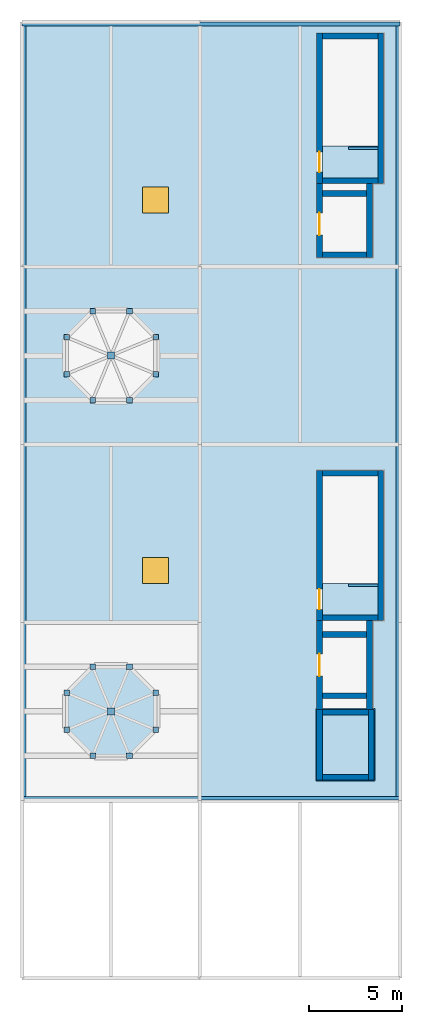
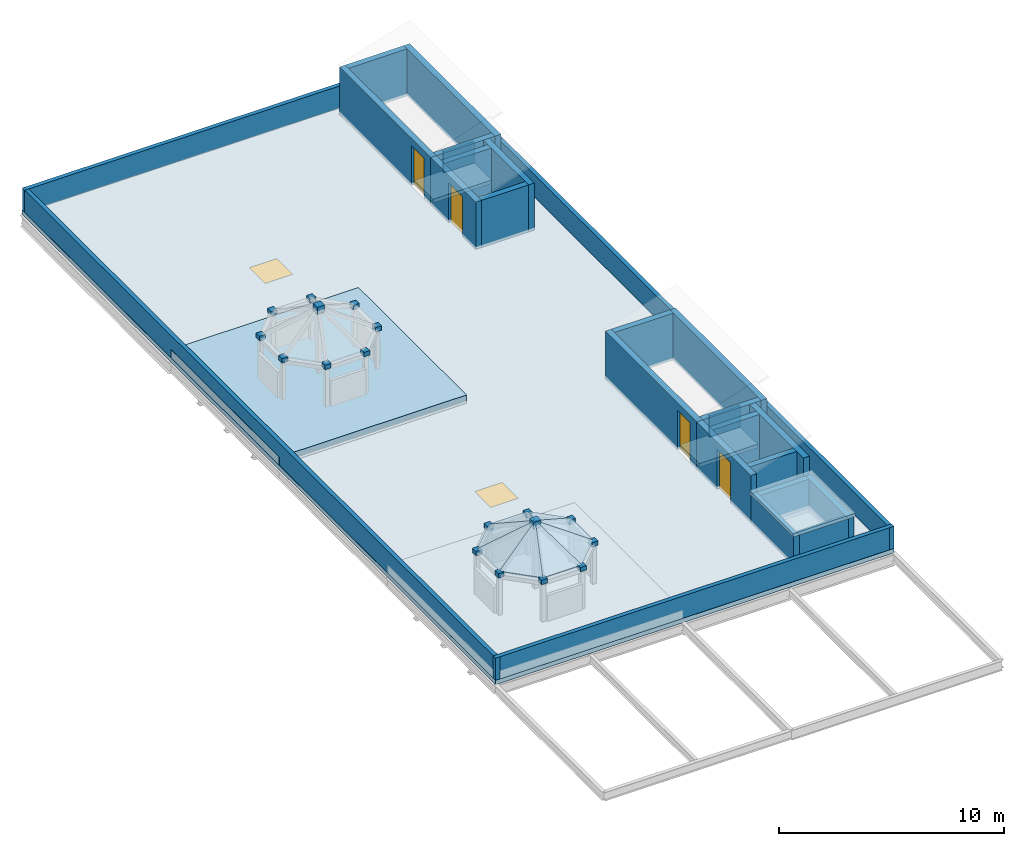
# One storey, part 3 of 5: 26 walls, 18 plates, 8 roofs, 5 slabs, 4 doors, 2 windows, 6 openings.
"""IFC4 building model written with IfcOpenShell, lengths in metres."""

from ifc_helpers import new_model, si_unit, direction, frame, frame_2d, origin, origin_2d, place, context, subcontext, project, spatial, polyline, rectangle, outline, extrude, material, layer, layer_set, type_object, element, fill, save


model = new_model("IFC4")

# Units and contexts
model_context = context("Model", 3, precision=1e-05, world=origin(), true_north=direction((0.0, 1.0)))
body_context = subcontext(model_context, "Body", "Model", "MODEL_VIEW")
ifc_project = project(units=[si_unit("LENGTHUNIT", "METRE"), si_unit("AREAUNIT", "SQUARE_METRE"), si_unit("VOLUMEUNIT", "CUBIC_METRE"), si_unit("PLANEANGLEUNIT", "RADIAN"), si_unit("MASSUNIT", "GRAM", prefix="KILO")], contexts=[model_context])

# Site, building, storey
site_placement = place(None, origin())
site = spatial("IfcSite", under=ifc_project, at=site_placement, CompositionType="ELEMENT")
building_placement = place(site_placement, origin())
building = spatial("IfcBuilding", under=site, at=building_placement, Name="Almandine Court Research Institute", CompositionType="ELEMENT")
storey_placement = place(building_placement, frame((0.0, 0.0, 46.199951171875)))
storey = spatial("IfcBuildingStorey", under=building, at=storey_placement, Name="RF", CompositionType="ELEMENT", Elevation=46.199951171875)

# Plates
ifc_material_1 = material(Name="Steel ASTM A36", Category="steel")
ifc_layer_1 = layer(ifc_material_1, 0.3798828125)
ifc_layer_set_1 = layer_set([ifc_layer_1], Name="Steel ASTM A36")
plate_type_1 = type_object("IfcPlateType", Name="Plate-NP-02", PredefinedType="SHEET", material=ifc_layer_set_1)
for number, where, z_axis, x_axis, name in (
    (1, (158.39990234375, 20.39990234375, 3.760009765625), (0.0, 0.0, 1.0), (1.0, 0.0, 0.0), "RF Chhatri Lantern 1 Apex Star Node"),
    (2, (158.39990234375, 39.60009765625, 3.760009765625), (0.0, 0.0, 1.0), (1.0, 0.0, 0.0), "RF Chhatri Lantern 2 Apex Star Node"),
):
    element("IfcPlate", number, at=place(storey_placement, frame(where, z_axis=z_axis, x_axis=x_axis)), inside=storey, type_object=plate_type_1, Name=name, PredefinedType="SHEET", context=body_context, shape_type="SweptSolid", body=[
        extrude(rectangle(XDim=0.3798828125, YDim=0.3798828125, at=origin_2d()), origin(), (0.0, 0.0, 1.0), 0.3798828125),
    ])
ifc_layer_2 = layer(ifc_material_1, 0.239990234375)
ifc_layer_set_2 = layer_set([ifc_layer_2], Name="Steel ASTM A36")
plate_type_2 = type_object("IfcPlateType", Name="Plate-NP-05", PredefinedType="SHEET", material=ifc_layer_set_2)
for number, where, z_axis, x_axis, name in (
    (3, (160.802001953125, 21.39501953125, 2.5302734375), (0.0, 0.0, 1.0), (1.0, 0.0, 0.0), "RF Chhatri Lantern 1 Eave Cap Plate 1"),
    (4, (159.39501953125, 22.802001953125, 2.5302734375), (0.0, 0.0, 1.0), (1.0, 0.0, 0.0), "RF Chhatri Lantern 1 Eave Cap Plate 2"),
    (5, (157.405029296875, 22.802001953125, 2.5302734375), (0.0, 0.0, 1.0), (1.0, 0.0, 0.0), "RF Chhatri Lantern 1 Eave Cap Plate 3"),
    (6, (155.998046875, 21.39501953125, 2.5302734375), (0.0, 0.0, 1.0), (1.0, 0.0, 0.0), "RF Chhatri Lantern 1 Eave Cap Plate 4"),
    (7, (155.998046875, 19.405029296875, 2.5302734375), (0.0, 0.0, 1.0), (1.0, 0.0, 0.0), "RF Chhatri Lantern 1 Eave Cap Plate 5"),
    (8, (157.405029296875, 17.998046875, 2.5302734375), (0.0, 0.0, 1.0), (1.0, 0.0, 0.0), "RF Chhatri Lantern 1 Eave Cap Plate 6"),
    (9, (159.39501953125, 17.998046875, 2.5302734375), (0.0, 0.0, 1.0), (1.0, 0.0, 0.0), "RF Chhatri Lantern 1 Eave Cap Plate 7"),
    (10, (160.802001953125, 19.405029296875, 2.5302734375), (0.0, 0.0, 1.0), (1.0, 0.0, 0.0), "RF Chhatri Lantern 1 Eave Cap Plate 8"),
    (11, (160.802001953125, 40.594970703125, 2.5302734375), (0.0, 0.0, 1.0), (1.0, 0.0, 0.0), "RF Chhatri Lantern 2 Eave Cap Plate 1"),
    (12, (159.39501953125, 42.001953125, 2.5302734375), (0.0, 0.0, 1.0), (1.0, 0.0, 0.0), "RF Chhatri Lantern 2 Eave Cap Plate 2"),
    (13, (157.405029296875, 42.001953125, 2.5302734375), (0.0, 0.0, 1.0), (1.0, 0.0, 0.0), "RF Chhatri Lantern 2 Eave Cap Plate 3"),
    (14, (155.998046875, 40.594970703125, 2.5302734375), (0.0, 0.0, 1.0), (1.0, 0.0, 0.0), "RF Chhatri Lantern 2 Eave Cap Plate 4"),
    (15, (155.998046875, 38.60498046875, 2.5302734375), (0.0, 0.0, 1.0), (1.0, 0.0, 0.0), "RF Chhatri Lantern 2 Eave Cap Plate 5"),
    (16, (157.405029296875, 37.197998046875, 2.5302734375), (0.0, 0.0, 1.0), (1.0, 0.0, 0.0), "RF Chhatri Lantern 2 Eave Cap Plate 6"),
    (17, (159.39501953125, 37.197998046875, 2.5302734375), (0.0, 0.0, 1.0), (1.0, 0.0, 0.0), "RF Chhatri Lantern 2 Eave Cap Plate 7"),
    (18, (160.802001953125, 38.60498046875, 2.5302734375), (0.0, 0.0, 1.0), (1.0, 0.0, 0.0), "RF Chhatri Lantern 2 Eave Cap Plate 8"),
):
    element("IfcPlate", number, at=place(storey_placement, frame(where, z_axis=z_axis, x_axis=x_axis)), inside=storey, type_object=plate_type_2, Name=name, PredefinedType="SHEET", context=body_context, shape_type="SweptSolid", body=[
        extrude(rectangle(XDim=0.300048828125, YDim=0.300048828125, at=origin_2d()), origin(), (0.0, 0.0, 1.0), 0.239990234375),
    ])

# Slabs
ifc_material_2 = material(Name="Concrete C35/45", Category="concrete")
ifc_layer_3 = layer(ifc_material_2, 0.199951171875)
ifc_layer_set_3 = layer_set([ifc_layer_3], Name="Concrete C35/45")
slab_type_1 = type_object("IfcSlabType", Name="Slab-PHF-200", PredefinedType="FLOOR", material=ifc_layer_set_3)
slab_1_placement = place(storey_placement, frame((0.0, 0.0, -0.199951171875)))
element("IfcSlab", 19, at=slab_1_placement, inside=storey, type_object=slab_type_1, Name="RF ST-07 Exterior Penthouse Terrace Slab", PredefinedType="FLOOR", context=body_context, shape_type="SweptSolid", body=[
    extrude(outline(polyline([(172.800048828125, 25.60009765625), (172.800048828125, 27.31005859375), (169.800048828125, 27.31005859375), (169.800048828125, 25.60009765625), (172.800048828125, 25.60009765625)])), origin(), (0.0, 0.0, 1.0), 0.199951171875),
])
slab_2_placement = place(storey_placement, frame((0.0, 0.0, -0.199951171875)))
element("IfcSlab", 20, at=slab_2_placement, inside=storey, type_object=slab_type_1, Name="RF ST-08 Exterior Penthouse Terrace Slab", PredefinedType="FLOOR", context=body_context, shape_type="SweptSolid", body=[
    extrude(outline(polyline([(172.800048828125, 49.199951171875), (172.800048828125, 50.909912109375), (169.800048828125, 50.909912109375), (169.800048828125, 49.199951171875), (172.800048828125, 49.199951171875)])), origin(), (0.0, 0.0, 1.0), 0.199951171875),
])
ifc_layer_4 = layer(ifc_material_2, 0.199951171875)
ifc_layer_set_4 = layer_set([ifc_layer_4], Name="Concrete C35/45")
slab_type_2 = type_object("IfcSlabType", Name="Slab-RF-200", PredefinedType="ROOF", material=ifc_layer_set_4)
slab_3_placement = place(storey_placement, frame((0.0, 0.0, 1.550048828125)))
element("IfcSlab", 21, at=slab_3_placement, inside=storey, type_object=slab_type_2, Name="RF GL-01 Lift Overrun Cap Slab", PredefinedType="ROOF", context=body_context, shape_type="SweptSolid", body=[
    extrude(outline(polyline([(169.449951171875, 16.64990234375), (172.64990234375, 16.64990234375), (172.64990234375, 20.550048828125), (169.449951171875, 20.550048828125), (169.449951171875, 16.64990234375)])), origin(), (0.0, 0.0, 1.0), 0.199951171875),
])

# Slab, openings, windows
ifc_layer_5 = layer(ifc_material_2, 0.239990234375)
ifc_layer_set_5 = layer_set([ifc_layer_5], Name="Concrete C35/45")
slab_type_3 = type_object("IfcSlabType", Name="Slab-RF-240", PredefinedType="ROOF", material=ifc_layer_set_5)
slab_4_placement = place(storey_placement, frame((0.0, 0.0, -0.239990234375)))
slab_4 = element("IfcSlab", 22, at=slab_4_placement, inside=storey, type_object=slab_type_3, Name="RF Volume 4 Main Wet Laboratory Roof Slab", PredefinedType="ROOF", context=body_context, shape_type="SweptSolid", body=[
    extrude(outline(polyline([(153.60009765625, 15.60009765625), (174.0, 15.60009765625), (174.0, 57.60009765625), (153.60009765625, 57.60009765625), (153.60009765625, 15.60009765625)]), holes=[polyline([(169.47998046875, 25.280029296875), (173.1201171875, 25.280029296875), (173.1201171875, 33.419921875), (169.47998046875, 33.419921875), (169.47998046875, 25.280029296875)]), polyline([(169.47998046875, 48.8798828125), (173.1201171875, 48.8798828125), (173.1201171875, 57.02001953125), (169.47998046875, 57.02001953125), (169.47998046875, 48.8798828125)]), polyline([(169.800048828125, 21.39990234375), (172.199951171875, 21.39990234375), (172.199951171875, 24.39990234375), (169.800048828125, 24.39990234375), (169.800048828125, 21.39990234375)]), polyline([(169.800048828125, 45.199951171875), (172.199951171875, 45.199951171875), (172.199951171875, 48.199951171875), (169.800048828125, 48.199951171875), (169.800048828125, 45.199951171875)]), polyline([(169.800048828125, 17.0), (172.300048828125, 17.0), (172.300048828125, 20.199951171875), (169.800048828125, 20.199951171875), (169.800048828125, 17.0)]), polyline([(160.10009765625, 27.300048828125), (161.5, 27.300048828125), (161.5, 28.699951171875), (160.10009765625, 28.699951171875), (160.10009765625, 27.300048828125)]), polyline([(160.10009765625, 47.300048828125), (161.5, 47.300048828125), (161.5, 48.699951171875), (160.10009765625, 48.699951171875), (160.10009765625, 47.300048828125)])]), origin(), (0.0, 0.0, 1.0), 0.239990234375),
])
opening_1_placement = place(slab_4_placement, frame((160.800048828125, 28.0, 0.0)))
opening_1 = element("IfcOpeningElement", 23, at=opening_1_placement, cuts=slab_4, Name="Opening SK-02", PredefinedType="OPENING", context=body_context, shape_type="SweptSolid", body=[
    extrude(rectangle(XDim=1.39990234375, YDim=1.39990234375, at=origin_2d()), origin(), (0.0, 0.0, 1.0), 0.239990234375),
])
opening_2_placement = place(slab_4_placement, frame((160.800048828125, 48.0, 0.0)))
opening_2 = element("IfcOpeningElement", 24, at=opening_2_placement, cuts=slab_4, Name="Opening SK-02", PredefinedType="OPENING", context=body_context, shape_type="SweptSolid", body=[
    extrude(rectangle(XDim=1.39990234375, YDim=1.39990234375, at=origin_2d()), origin(), (0.0, 0.0, 1.0), 0.239990234375),
])
ifc_material_3 = material(Name="Insulated Kerb Roof Access Skylight Hatch", Category="glass")
window_type = type_object("IfcWindowType", Name="Win-SKY-1400", PartitioningType="SINGLE_PANEL", PredefinedType="SKYLIGHT", material=ifc_material_3)
window_1_placement = place(opening_1_placement, frame((0.0, 0.0, 0.18994140625)))
window_1 = element("IfcWindow", 25, at=window_1_placement, inside=storey, type_object=window_type, Name="RF Wet Laboratory Roof Access Skylight Hatch 1", OverallHeight=1.39990234375, OverallWidth=1.39990234375, PartitioningType="SINGLE_PANEL", PredefinedType="SKYLIGHT", context=body_context, shape_type="SweptSolid", body=[
    extrude(rectangle(XDim=1.39990234375, YDim=1.39990234375, at=origin_2d()), origin(), (0.0, 0.0, 1.0), 0.050048828125),
])
fill(opening_1, window_1)
window_2_placement = place(opening_2_placement, frame((0.0, 0.0, 0.18994140625)))
window_2 = element("IfcWindow", 26, at=window_2_placement, inside=storey, type_object=window_type, Name="RF Wet Laboratory Roof Access Skylight Hatch 2", OverallHeight=1.39990234375, OverallWidth=1.39990234375, PartitioningType="SINGLE_PANEL", PredefinedType="SKYLIGHT", context=body_context, shape_type="SweptSolid", body=[
    extrude(rectangle(XDim=1.39990234375, YDim=1.39990234375, at=origin_2d()), origin(), (0.0, 0.0, 1.0), 0.050048828125),
])
fill(opening_2, window_2)

# Slab
ifc_material_4 = material(Name="Concrete C40/50", Category="concrete")
ifc_layer_6 = layer(ifc_material_4, 0.449951171875)
ifc_layer_set_6 = layer_set([ifc_layer_6], Name="Concrete C40/50")
slab_type_4 = type_object("IfcSlabType", Name="Slab-TRN-450", PredefinedType="ROOF", material=ifc_layer_set_6)
slab_5_placement = place(storey_placement, origin())
element("IfcSlab", 27, at=slab_5_placement, inside=storey, type_object=slab_type_4, Name="RF Chhatri Lantern 2 Structural Plinth Slab", PredefinedType="ROOF", context=body_context, shape_type="SweptSolid", body=[
    extrude(outline(polyline([(153.60009765625, 34.800048828125), (163.199951171875, 34.800048828125), (163.199951171875, 44.39990234375), (153.60009765625, 44.39990234375), (153.60009765625, 34.800048828125)])), origin(), (0.0, 0.0, 1.0), 0.449951171875),
])

# Walls
ifc_material_5 = material(Name="Precast Concrete C40/50", Category="concrete")
ifc_layer_7 = layer(ifc_material_5, 0.2099609375)
ifc_layer_set_7 = layer_set([ifc_layer_7], Name="Precast Concrete C40/50")
wall_type_1 = type_object("IfcWallType", Name="Wall-PAR-210", PredefinedType="PARAPET", material=ifc_layer_set_7)
wall_1_placement = place(storey_placement, frame((153.60009765625, 15.7099609375, 0.0), z_axis=(0.0, 0.0, 1.0), x_axis=(1.0, 0.0, 0.0)))
element("IfcWall", 28, at=wall_1_placement, inside=storey, type_object=wall_type_1, Name="RF Roof Perimeter Parapet 009", PredefinedType="PARAPET", context=body_context, shape_type="SweptSolid", body=[
    extrude(rectangle(XDim=20.39990234375, YDim=0.2099609375, at=frame_2d((10.199951171875, 0.0))), origin(), (0.0, 0.0, 1.0), 1.199951171875),
])
wall_2_placement = place(storey_placement, frame((173.889892578125, 15.60009765625, 0.0), z_axis=(0.0, 0.0, 1.0), x_axis=(0.0, 1.0, 0.0)))
element("IfcWall", 29, at=wall_2_placement, inside=storey, type_object=wall_type_1, Name="RF Roof Perimeter Parapet 010", PredefinedType="PARAPET", context=body_context, shape_type="SweptSolid", body=[
    extrude(rectangle(XDim=42.0, YDim=0.2099609375, at=frame_2d((21.0, 0.0))), origin(), (0.0, 0.0, 1.0), 1.199951171875),
])
wall_3_placement = place(storey_placement, frame((174.0, 57.489990234375, 0.0), z_axis=(0.0, 0.0, 1.0), x_axis=(-1.0, 0.0, 0.0)))
element("IfcWall", 30, at=wall_3_placement, inside=storey, type_object=wall_type_1, Name="RF Roof Perimeter Parapet 011", PredefinedType="PARAPET", context=body_context, shape_type="SweptSolid", body=[
    extrude(rectangle(XDim=20.39990234375, YDim=0.2099609375, at=frame_2d((10.199951171875, 0.0))), origin(), (0.0, 0.0, 1.0), 1.199951171875),
])
wall_4_placement = place(storey_placement, frame((153.7099609375, 57.60009765625, 0.0), z_axis=(0.0, 0.0, 1.0), x_axis=(0.0, -1.0, 0.0)))
element("IfcWall", 31, at=wall_4_placement, inside=storey, type_object=wall_type_1, Name="RF Roof Perimeter Parapet 012", PredefinedType="PARAPET", context=body_context, shape_type="SweptSolid", body=[
    extrude(rectangle(XDim=42.0, YDim=0.2099609375, at=frame_2d((21.0, 0.0))), origin(), (0.0, 0.0, 1.0), 1.199951171875),
])
ifc_material_6 = material(Name="Lightweight Drywall Office Partition")
ifc_layer_8 = layer(ifc_material_6, 0.125)
ifc_layer_set_8 = layer_set([ifc_layer_8], Name="Lightweight Drywall Office Partition")
wall_type_2 = type_object("IfcWallType", Name="Wall-PART-125", PredefinedType="PARTITIONING", material=ifc_layer_set_8)
for number, where, z_axis, x_axis, name in (
    (32, (172.800048828125, 27.199951171875, 0.0), (0.0, 0.0, 1.0), (-1.0, 0.0, 0.0), "RF ST-07 Penthouse Well Curb Wall 1"),
    (33, (172.800048828125, 50.800048828125, 0.0), (0.0, 0.0, 1.0), (-1.0, 0.0, 0.0), "RF ST-08 Penthouse Well Curb Wall 1"),
):
    element("IfcWall", number, at=place(storey_placement, frame(where, z_axis=z_axis, x_axis=x_axis)), inside=storey, type_object=wall_type_2, Name=name, PredefinedType="PARTITIONING", context=body_context, shape_type="SweptSolid", body=[
        extrude(rectangle(XDim=1.580078125, YDim=0.125, at=frame_2d((0.7900390625, 0.0))), origin(), (0.0, 0.0, 1.0), 1.150146484375),
    ])

# Wall, opening, door
ifc_layer_9 = layer(ifc_material_4, 0.300048828125)
ifc_layer_set_9 = layer_set([ifc_layer_9], Name="Concrete C40/50")
wall_type_3 = type_object("IfcWallType", Name="Wall-SW-CORE-300-E", PredefinedType="SHEAR", material=ifc_layer_set_9)
wall_5_placement = place(storey_placement, frame((169.64990234375, 25.300048828125, 0.0), z_axis=(0.0, 0.0, 1.0), x_axis=(0.0, 1.0, 0.0)))
wall_5 = element("IfcWall", 34, at=wall_5_placement, inside=storey, type_object=wall_type_3, Name="RF ST-07 Penthouse W Shear Wall", PredefinedType="SHEAR", context=body_context, shape_type="SweptSolid", body=[
    extrude(rectangle(XDim=8.099853515625, YDim=0.300048828125, at=frame_2d((4.0498046875, 0.0))), origin(), (0.0, 0.0, 1.0), 2.550048828125),
])
opening_3_placement = place(wall_5_placement, frame((0.60009765625, 0.0, 0.0)))
opening_3 = element("IfcOpeningElement", 35, at=opening_3_placement, cuts=wall_5, Name="Opening EX-04", PredefinedType="OPENING", context=body_context, shape_type="SweptSolid", body=[
    extrude(rectangle(XDim=1.10009765625, YDim=2.14990234375, at=frame_2d((0.550048828125, 1.074951171875))), frame((0.0, 0.159912109375, 0.0), z_axis=(0.0, -1.0, 0.0), x_axis=(1.0, 0.0, 0.0)), (0.0, 0.0, 1.0), 0.320068359375),
])
ifc_material_7 = material(Name="Painted Steel Exterior Personnel Exit Door", Category="steel")
door_type_1 = type_object("IfcDoorType", Name="Door-EX-1100", OperationType="NOTDEFINED", PredefinedType="DOOR", material=ifc_material_7)
door_1_placement = place(opening_3_placement, origin())
door_1 = element("IfcDoor", 36, at=door_1_placement, inside=storey, type_object=door_type_1, Name="RF Exit Stair ST-07 Fire Door", OperationType="SINGLE_SWING_LEFT", OverallHeight=2.14990234375, OverallWidth=1.10009765625, PredefinedType="DOOR", context=body_context, shape_type="SweptSolid", body=[
    extrude(rectangle(XDim=1.10009765625, YDim=2.14990234375, at=frame_2d((0.550048828125, 1.074951171875))), frame((0.0, 0.02490234375, 0.0), z_axis=(0.0, -1.0, 0.0), x_axis=(1.0, 0.0, 0.0)), (0.0, 0.0, 1.0), 0.050048828125),
])
fill(opening_3, door_1)

# Walls
wall_6_placement = place(storey_placement, frame((169.800048828125, 33.25, 0.0), z_axis=(0.0, 0.0, 1.0), x_axis=(1.0, 0.0, 0.0)))
element("IfcWall", 37, at=wall_6_placement, inside=storey, type_object=wall_type_3, Name="RF ST-07 Penthouse N Shear Wall", PredefinedType="SHEAR", context=body_context, shape_type="SweptSolid", body=[
    extrude(rectangle(XDim=3.0, YDim=0.300048828125, at=frame_2d((1.5, 0.0))), origin(), (0.0, 0.0, 1.0), 2.550048828125),
])
wall_7_placement = place(storey_placement, frame((172.949951171875, 33.39990234375, 0.0), z_axis=(0.0, 0.0, 1.0), x_axis=(0.0, -1.0, 0.0)))
element("IfcWall", 38, at=wall_7_placement, inside=storey, type_object=wall_type_3, Name="RF ST-07 Penthouse E Shear Wall", PredefinedType="SHEAR", context=body_context, shape_type="SweptSolid", body=[
    extrude(rectangle(XDim=8.099853515625, YDim=0.300048828125, at=frame_2d((4.0498046875, 0.0))), origin(), (0.0, 0.0, 1.0), 2.550048828125),
])
wall_8_placement = place(storey_placement, frame((172.800048828125, 25.449951171875, 0.0), z_axis=(0.0, 0.0, 1.0), x_axis=(-1.0, 0.0, 0.0)))
element("IfcWall", 39, at=wall_8_placement, inside=storey, type_object=wall_type_3, Name="RF ST-07 Penthouse S Shear Wall", PredefinedType="SHEAR", context=body_context, shape_type="SweptSolid", body=[
    extrude(rectangle(XDim=3.0, YDim=0.300048828125, at=frame_2d((1.5, 0.0))), origin(), (0.0, 0.0, 1.0), 2.550048828125),
])

# Wall, opening, door
wall_9_placement = place(storey_placement, frame((169.64990234375, 48.89990234375, 0.0), z_axis=(0.0, 0.0, 1.0), x_axis=(0.0, 1.0, 0.0)))
wall_9 = element("IfcWall", 40, at=wall_9_placement, inside=storey, type_object=wall_type_3, Name="RF ST-08 Penthouse W Shear Wall", PredefinedType="SHEAR", context=body_context, shape_type="SweptSolid", body=[
    extrude(rectangle(XDim=8.10009765625, YDim=0.300048828125, at=frame_2d((4.050048828125, 0.0))), origin(), (0.0, 0.0, 1.0), 2.550048828125),
])
opening_4_placement = place(wall_9_placement, frame((0.60009765625, 0.0, 0.0)))
opening_4 = element("IfcOpeningElement", 41, at=opening_4_placement, cuts=wall_9, Name="Opening EX-04", PredefinedType="OPENING", context=body_context, shape_type="SweptSolid", body=[
    extrude(rectangle(XDim=1.10009765625, YDim=2.14990234375, at=frame_2d((0.550048828125, 1.074951171875))), frame((0.0, 0.159912109375, 0.0), z_axis=(0.0, -1.0, 0.0), x_axis=(1.0, 0.0, 0.0)), (0.0, 0.0, 1.0), 0.320068359375),
])
door_2_placement = place(opening_4_placement, origin())
door_2 = element("IfcDoor", 42, at=door_2_placement, inside=storey, type_object=door_type_1, Name="RF Exit Stair ST-08 Fire Door", OperationType="SINGLE_SWING_LEFT", OverallHeight=2.14990234375, OverallWidth=1.10009765625, PredefinedType="DOOR", context=body_context, shape_type="SweptSolid", body=[
    extrude(rectangle(XDim=1.10009765625, YDim=2.14990234375, at=frame_2d((0.550048828125, 1.074951171875))), frame((0.0, 0.02490234375, 0.0), z_axis=(0.0, -1.0, 0.0), x_axis=(1.0, 0.0, 0.0)), (0.0, 0.0, 1.0), 0.050048828125),
])
fill(opening_4, door_2)

# Walls
wall_10_placement = place(storey_placement, frame((169.800048828125, 56.85009765625, 0.0), z_axis=(0.0, 0.0, 1.0), x_axis=(1.0, 0.0, 0.0)))
element("IfcWall", 43, at=wall_10_placement, inside=storey, type_object=wall_type_3, Name="RF ST-08 Penthouse N Shear Wall", PredefinedType="SHEAR", context=body_context, shape_type="SweptSolid", body=[
    extrude(rectangle(XDim=3.0, YDim=0.300048828125, at=frame_2d((1.5, 0.0))), origin(), (0.0, 0.0, 1.0), 2.550048828125),
])
wall_11_placement = place(storey_placement, frame((172.949951171875, 57.0, 0.0), z_axis=(0.0, 0.0, 1.0), x_axis=(0.0, -1.0, 0.0)))
element("IfcWall", 44, at=wall_11_placement, inside=storey, type_object=wall_type_3, Name="RF ST-08 Penthouse E Shear Wall", PredefinedType="SHEAR", context=body_context, shape_type="SweptSolid", body=[
    extrude(rectangle(XDim=8.10009765625, YDim=0.300048828125, at=frame_2d((4.050048828125, 0.0))), origin(), (0.0, 0.0, 1.0), 2.550048828125),
])
wall_12_placement = place(storey_placement, frame((172.800048828125, 49.050048828125, 0.0), z_axis=(0.0, 0.0, 1.0), x_axis=(-1.0, 0.0, 0.0)))
element("IfcWall", 45, at=wall_12_placement, inside=storey, type_object=wall_type_3, Name="RF ST-08 Penthouse S Shear Wall", PredefinedType="SHEAR", context=body_context, shape_type="SweptSolid", body=[
    extrude(rectangle(XDim=3.0, YDim=0.300048828125, at=frame_2d((1.5, 0.0))), origin(), (0.0, 0.0, 1.0), 2.550048828125),
])

# Wall, opening, door
wall_13_placement = place(storey_placement, frame((169.64990234375, 20.5, 0.0), z_axis=(0.0, 0.0, 1.0), x_axis=(0.0, 1.0, 0.0)))
wall_13 = element("IfcWall", 46, at=wall_13_placement, inside=storey, type_object=wall_type_3, Name="RF FL-01 Overrun W Shear Wall", PredefinedType="SHEAR", context=body_context, shape_type="SweptSolid", body=[
    extrude(rectangle(XDim=4.800048828125, YDim=0.300048828125, at=frame_2d((2.39990234375, 0.0))), origin(), (0.0, 0.0, 1.0), 2.550048828125),
])
opening_5_placement = place(wall_13_placement, frame((1.800048828125, 0.0, 0.0)))
opening_5 = element("IfcOpeningElement", 47, at=opening_5_placement, cuts=wall_13, Name="Opening LD-02E", PredefinedType="OPENING", context=body_context, shape_type="SweptSolid", body=[
    extrude(rectangle(XDim=1.199951171875, YDim=2.14990234375, at=frame_2d((0.60009765625, 1.074951171875))), frame((0.0, 0.159912109375, 0.0), z_axis=(0.0, -1.0, 0.0), x_axis=(1.0, 0.0, 0.0)), (0.0, 0.0, 1.0), 0.320068359375),
])
ifc_material_8 = material(Name="Firefighting Lift Landing Sliding Door")
door_type_2 = type_object("IfcDoorType", Name="Door-LD-FSAE-1200-EXT", OperationType="SLIDING_TO_LEFT", PredefinedType="USERDEFINED", material=ifc_material_8)
door_3_placement = place(opening_5_placement, origin())
door_3 = element("IfcDoor", 48, at=door_3_placement, inside=storey, type_object=door_type_2, Name="RF Firefighting Lift FL-01 Sliding Landing Door", ObjectType="LANDING DOOR", OperationType="SLIDING_TO_LEFT", OverallHeight=2.14990234375, OverallWidth=1.199951171875, PredefinedType="USERDEFINED", context=body_context, shape_type="SweptSolid", body=[
    extrude(rectangle(XDim=1.199951171875, YDim=2.14990234375, at=frame_2d((0.60009765625, 1.074951171875))), frame((0.0, 0.02490234375, 0.0), z_axis=(0.0, -1.0, 0.0), x_axis=(1.0, 0.0, 0.0)), (0.0, 0.0, 1.0), 0.050048828125),
])
fill(opening_5, door_3)

# Walls
wall_14_placement = place(storey_placement, frame((169.800048828125, 24.550048828125, 0.0), z_axis=(0.0, 0.0, 1.0), x_axis=(1.0, 0.0, 0.0)))
element("IfcWall", 49, at=wall_14_placement, inside=storey, type_object=wall_type_3, Name="RF FL-01 Overrun N Shear Wall", PredefinedType="SHEAR", context=body_context, shape_type="SweptSolid", body=[
    extrude(rectangle(XDim=2.39990234375, YDim=0.300048828125, at=frame_2d((1.199951171875, 0.0))), origin(), (0.0, 0.0, 1.0), 2.550048828125),
])
wall_15_placement = place(storey_placement, frame((172.35009765625, 25.300048828125, 0.0), z_axis=(0.0, 0.0, 1.0), x_axis=(0.0, -1.0, 0.0)))
element("IfcWall", 50, at=wall_15_placement, inside=storey, type_object=wall_type_3, Name="RF FL-01 Overrun E Shear Wall", PredefinedType="SHEAR", context=body_context, shape_type="SweptSolid", body=[
    extrude(rectangle(XDim=4.800048828125, YDim=0.300048828125, at=frame_2d((2.39990234375, 0.0))), origin(), (0.0, 0.0, 1.0), 2.550048828125),
])
wall_16_placement = place(storey_placement, frame((172.199951171875, 21.25, 0.0), z_axis=(0.0, 0.0, 1.0), x_axis=(-1.0, 0.0, 0.0)))
element("IfcWall", 51, at=wall_16_placement, inside=storey, type_object=wall_type_3, Name="RF FL-01 Overrun S Shear Wall", PredefinedType="SHEAR", context=body_context, shape_type="SweptSolid", body=[
    extrude(rectangle(XDim=2.39990234375, YDim=0.300048828125, at=frame_2d((1.199951171875, 0.0))), origin(), (0.0, 0.0, 1.0), 2.550048828125),
])

# Wall, opening, door
wall_17_placement = place(storey_placement, frame((169.64990234375, 44.89990234375, 0.0), z_axis=(0.0, 0.0, 1.0), x_axis=(0.0, 1.0, 0.0)))
wall_17 = element("IfcWall", 52, at=wall_17_placement, inside=storey, type_object=wall_type_3, Name="RF FL-02 Overrun W Shear Wall", PredefinedType="SHEAR", context=body_context, shape_type="SweptSolid", body=[
    extrude(rectangle(XDim=4.0, YDim=0.300048828125, at=frame_2d((2.0, 0.0))), origin(), (0.0, 0.0, 1.0), 2.550048828125),
])
opening_6_placement = place(wall_17_placement, frame((1.199951171875, 0.0, 0.0)))
opening_6 = element("IfcOpeningElement", 53, at=opening_6_placement, cuts=wall_17, Name="Opening LD-02E", PredefinedType="OPENING", context=body_context, shape_type="SweptSolid", body=[
    extrude(rectangle(XDim=1.199951171875, YDim=2.14990234375, at=frame_2d((0.60009765625, 1.074951171875))), frame((0.0, 0.159912109375, 0.0), z_axis=(0.0, -1.0, 0.0), x_axis=(1.0, 0.0, 0.0)), (0.0, 0.0, 1.0), 0.320068359375),
])
door_4_placement = place(opening_6_placement, origin())
door_4 = element("IfcDoor", 54, at=door_4_placement, inside=storey, type_object=door_type_2, Name="RF Firefighting Lift FL-02 Sliding Landing Door", ObjectType="LANDING DOOR", OperationType="SLIDING_TO_LEFT", OverallHeight=2.14990234375, OverallWidth=1.199951171875, PredefinedType="USERDEFINED", context=body_context, shape_type="SweptSolid", body=[
    extrude(rectangle(XDim=1.199951171875, YDim=2.14990234375, at=frame_2d((0.60009765625, 1.074951171875))), frame((0.0, 0.02490234375, 0.0), z_axis=(0.0, -1.0, 0.0), x_axis=(1.0, 0.0, 0.0)), (0.0, 0.0, 1.0), 0.050048828125),
])
fill(opening_6, door_4)

# Walls
wall_18_placement = place(storey_placement, frame((169.800048828125, 48.35009765625, 0.0), z_axis=(0.0, 0.0, 1.0), x_axis=(1.0, 0.0, 0.0)))
element("IfcWall", 55, at=wall_18_placement, inside=storey, type_object=wall_type_3, Name="RF FL-02 Overrun N Shear Wall", PredefinedType="SHEAR", context=body_context, shape_type="SweptSolid", body=[
    extrude(rectangle(XDim=2.39990234375, YDim=0.300048828125, at=frame_2d((1.199951171875, 0.0))), origin(), (0.0, 0.0, 1.0), 2.550048828125),
])
wall_19_placement = place(storey_placement, frame((172.35009765625, 48.89990234375, 0.0), z_axis=(0.0, 0.0, 1.0), x_axis=(0.0, -1.0, 0.0)))
element("IfcWall", 56, at=wall_19_placement, inside=storey, type_object=wall_type_3, Name="RF FL-02 Overrun E Shear Wall", PredefinedType="SHEAR", context=body_context, shape_type="SweptSolid", body=[
    extrude(rectangle(XDim=4.0, YDim=0.300048828125, at=frame_2d((2.0, 0.0))), origin(), (0.0, 0.0, 1.0), 2.550048828125),
])
wall_20_placement = place(storey_placement, frame((172.199951171875, 45.050048828125, 0.0), z_axis=(0.0, 0.0, 1.0), x_axis=(-1.0, 0.0, 0.0)))
element("IfcWall", 57, at=wall_20_placement, inside=storey, type_object=wall_type_3, Name="RF FL-02 Overrun S Shear Wall", PredefinedType="SHEAR", context=body_context, shape_type="SweptSolid", body=[
    extrude(rectangle(XDim=2.39990234375, YDim=0.300048828125, at=frame_2d((1.199951171875, 0.0))), origin(), (0.0, 0.0, 1.0), 2.550048828125),
])
wall_21_placement = place(storey_placement, frame((169.64990234375, 16.699951171875, 0.0), z_axis=(0.0, 0.0, 1.0), x_axis=(0.0, 1.0, 0.0)))
element("IfcWall", 58, at=wall_21_placement, inside=storey, type_object=wall_type_3, Name="RF GL-01 Overrun W Shear Wall", PredefinedType="SHEAR", context=body_context, shape_type="SweptSolid", body=[
    extrude(rectangle(XDim=3.800048828125, YDim=0.300048828125, at=frame_2d((1.89990234375, 0.0))), origin(), (0.0, 0.0, 1.0), 1.550048828125),
])
wall_22_placement = place(storey_placement, frame((169.800048828125, 20.35009765625, 0.0), z_axis=(0.0, 0.0, 1.0), x_axis=(1.0, 0.0, 0.0)))
element("IfcWall", 59, at=wall_22_placement, inside=storey, type_object=wall_type_3, Name="RF GL-01 Overrun N Shear Wall", PredefinedType="SHEAR", context=body_context, shape_type="SweptSolid", body=[
    extrude(rectangle(XDim=2.5, YDim=0.300048828125, at=frame_2d((1.25, 0.0))), origin(), (0.0, 0.0, 1.0), 1.550048828125),
])
wall_23_placement = place(storey_placement, frame((172.449951171875, 20.5, 0.0), z_axis=(0.0, 0.0, 1.0), x_axis=(0.0, -1.0, 0.0)))
element("IfcWall", 60, at=wall_23_placement, inside=storey, type_object=wall_type_3, Name="RF GL-01 Overrun E Shear Wall", PredefinedType="SHEAR", context=body_context, shape_type="SweptSolid", body=[
    extrude(rectangle(XDim=3.800048828125, YDim=0.300048828125, at=frame_2d((1.89990234375, 0.0))), origin(), (0.0, 0.0, 1.0), 1.550048828125),
])
wall_24_placement = place(storey_placement, frame((172.300048828125, 16.85009765625, 0.0), z_axis=(0.0, 0.0, 1.0), x_axis=(-1.0, 0.0, 0.0)))
element("IfcWall", 61, at=wall_24_placement, inside=storey, type_object=wall_type_3, Name="RF GL-01 Overrun S Shear Wall", PredefinedType="SHEAR", context=body_context, shape_type="SweptSolid", body=[
    extrude(rectangle(XDim=2.5, YDim=0.300048828125, at=frame_2d((1.25, 0.0))), origin(), (0.0, 0.0, 1.0), 1.550048828125),
])

# Roofs
ifc_material_9 = material(Name="Extruded Ochre Terracotta Faceted Lantern Cap", Category="masonry")
ifc_layer_10 = layer(ifc_material_9, 0.074951171875)
ifc_layer_set_10 = layer_set([ifc_layer_10], Name="Extruded Ochre Terracotta Faceted Lantern Cap")
roof_type = type_object("IfcRoofType", Name="Roof-CH-Facet", PredefinedType="PAVILION_ROOF", material=ifc_layer_set_10)
roof_1_placement = place(storey_placement, frame((160.802001953125, 21.39501953125, 2.77001953125), z_axis=(0.336554817087, 0.336554817087, 0.879466719206), x_axis=(-0.707106781187, 0.707106781187, 0.0)))
element("IfcRoof", 62, at=roof_1_placement, inside=storey, type_object=roof_type, Name="RF Chhatri 1 Planar Faceted Roof Cap 1", PredefinedType="PAVILION_ROOF", context=body_context, shape_type="SweptSolid", body=[
    extrude(outline(polyline([(0.0, 0.0), (1.9897736230361687, 0.0), (0.9948868115180844, 2.7314223287499875), (0.0, 0.0)])), origin(), (0.0, 0.0, -1.0), 0.074951171875),
])
roof_2_placement = place(storey_placement, frame((159.39501953125, 22.802001953125, 2.77001953125), z_axis=(0.0, 0.475975011079, 0.879458804509), x_axis=(-1.0, 0.0, 0.0)))
element("IfcRoof", 63, at=roof_2_placement, inside=storey, type_object=roof_type, Name="RF Chhatri 1 Planar Faceted Roof Cap 2", PredefinedType="PAVILION_ROOF", context=body_context, shape_type="SweptSolid", body=[
    extrude(outline(polyline([(0.0, 0.0), (1.989990234375, 0.0), (0.9951171875, 2.731338406142438), (0.0, 0.0)])), origin(), (0.0, 0.0, -1.0), 0.074951171875),
])
roof_3_placement = place(storey_placement, frame((157.405029296875, 22.802001953125, 2.77001953125), z_axis=(-0.336573525288, 0.336573525288, 0.879452400162), x_axis=(-0.707106781187, -0.707106781187, 0.0)))
element("IfcRoof", 64, at=roof_3_placement, inside=storey, type_object=roof_type, Name="RF Chhatri 1 Planar Faceted Roof Cap 3", PredefinedType="PAVILION_ROOF", context=body_context, shape_type="SweptSolid", body=[
    extrude(outline(polyline([(0.0, 0.0), (1.9897736230361687, 0.0), (0.995059445009585, 2.731270504575531), (0.0, 0.0)])), origin(), (0.0, 0.0, -1.0), 0.074951171875),
])
roof_4_placement = place(storey_placement, frame((155.998046875, 21.39501953125, 2.77001953125), z_axis=(-0.476012430179, 0.0, 0.879438551756), x_axis=(0.0, -1.0, 0.0)))
element("IfcRoof", 65, at=roof_4_placement, inside=storey, type_object=roof_type, Name="RF Chhatri 1 Planar Faceted Roof Cap 4", PredefinedType="PAVILION_ROOF", context=body_context, shape_type="SweptSolid", body=[
    extrude(outline(polyline([(0.0, 0.0), (1.989990234375, 0.0), (0.9951171875, 2.731123696992406), (0.0, 0.0)])), origin(), (0.0, 0.0, -1.0), 0.074951171875),
])
roof_5_placement = place(storey_placement, frame((155.998046875, 19.405029296875, 2.77001953125), z_axis=(-0.336592235264, -0.336592235264, 0.879438078729), x_axis=(0.707106781187, -0.707106781187, 0.0)))
element("IfcRoof", 66, at=roof_5_placement, inside=storey, type_object=roof_type, Name="RF Chhatri 1 Planar Faceted Roof Cap 5", PredefinedType="PAVILION_ROOF", context=body_context, shape_type="SweptSolid", body=[
    extrude(outline(polyline([(0.0, 0.0), (1.9897736230361687, 0.0), (0.9948868115180843, 2.731118682873228), (0.0, 0.0)])), origin(), (0.0, 0.0, -1.0), 0.074951171875),
])
roof_6_placement = place(storey_placement, frame((157.405029296875, 17.998046875, 2.77001953125), z_axis=(0.0, -0.476012430179, 0.879438551756), x_axis=(1.0, 0.0, 0.0)))
element("IfcRoof", 67, at=roof_6_placement, inside=storey, type_object=roof_type, Name="RF Chhatri 1 Planar Faceted Roof Cap 6", PredefinedType="PAVILION_ROOF", context=body_context, shape_type="SweptSolid", body=[
    extrude(outline(polyline([(0.0, 0.0), (1.989990234375, 0.0), (0.994873046875, 2.731123696992406), (0.0, 0.0)])), origin(), (0.0, 0.0, -1.0), 0.074951171875),
])
roof_7_placement = place(storey_placement, frame((159.39501953125, 17.998046875, 2.77001953125), z_axis=(0.336573525288, -0.336573525288, 0.879452400162), x_axis=(0.707106781187, 0.707106781187, 0.0)))
element("IfcRoof", 68, at=roof_7_placement, inside=storey, type_object=roof_type, Name="RF Chhatri 1 Planar Faceted Roof Cap 7", PredefinedType="PAVILION_ROOF", context=body_context, shape_type="SweptSolid", body=[
    extrude(outline(polyline([(0.0, 0.0), (1.9897736230361687, 0.0), (0.9947141780265838, 2.731270504575531), (0.0, 0.0)])), origin(), (0.0, 0.0, -1.0), 0.074951171875),
])
roof_8_placement = place(storey_placement, frame((160.802001953125, 19.405029296875, 2.77001953125), z_axis=(0.475975011079, 0.0, 0.879458804509), x_axis=(0.0, 1.0, 0.0)))
element("IfcRoof", 69, at=roof_8_placement, inside=storey, type_object=roof_type, Name="RF Chhatri 1 Planar Faceted Roof Cap 8", PredefinedType="PAVILION_ROOF", context=body_context, shape_type="SweptSolid", body=[
    extrude(outline(polyline([(0.0, 0.0), (1.989990234375, 0.0), (0.994873046875, 2.731338406142438), (0.0, 0.0)])), origin(), (0.0, 0.0, -1.0), 0.074951171875),
])

save(model, "model.ifc")
